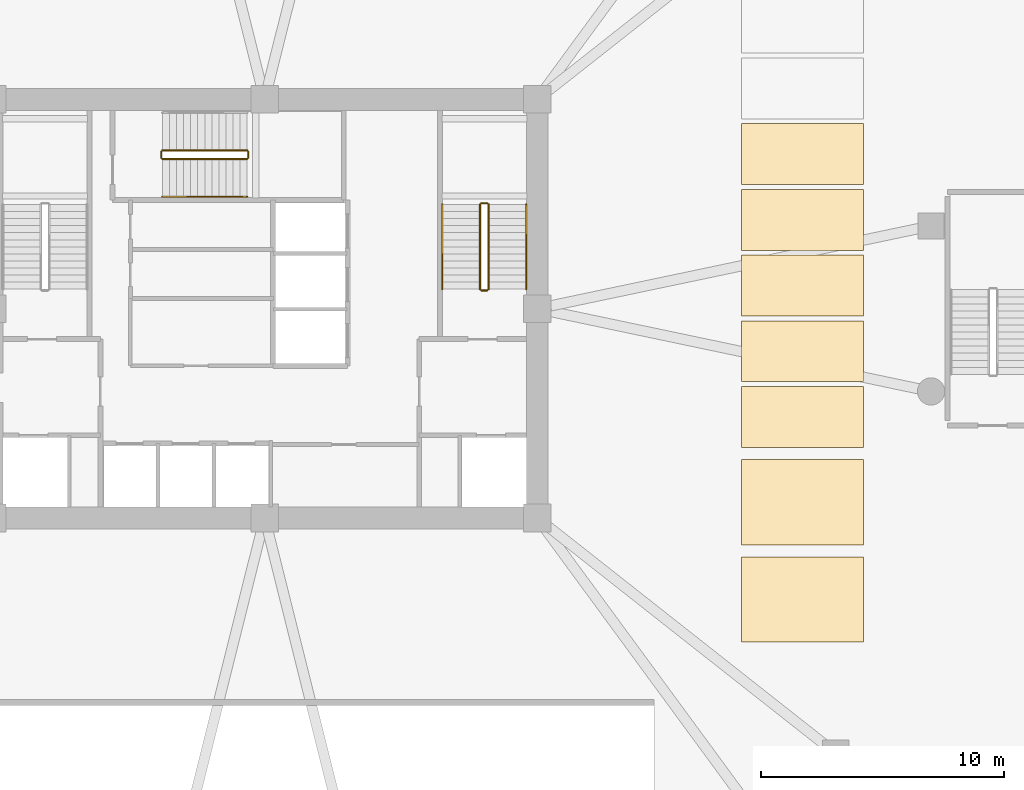
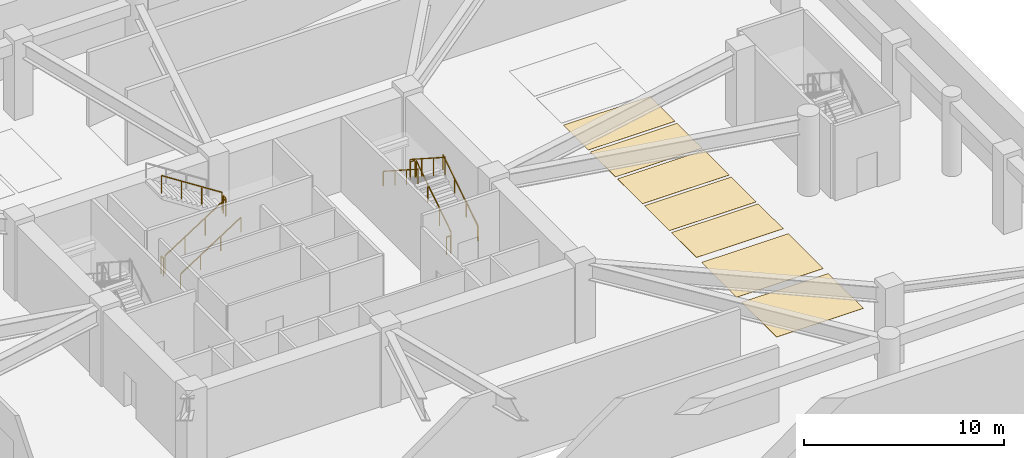
# One storey, part 6 of 8: 11 railings, 7 coverings.
"""IFC4 building model written with IfcOpenShell, lengths in metres."""

from ifc_helpers import new_model, si_unit, derived_unit, direction, frame, origin, origin_2d, place, context, subcontext, project, spatial, polyline, rectangle, outline, extrude, material, layer, layer_set, type_object, element, save


model = new_model("IFC4")

# Units and contexts
model_context = context("Model", 3, precision=1e-05, world=origin(), true_north=direction((0.0, 1.0)))
body_context = subcontext(model_context, "Body", "Model", "MODEL_VIEW")
ifc_project = project(units=[si_unit("LENGTHUNIT", "METRE"), si_unit("AREAUNIT", "SQUARE_METRE"), si_unit("VOLUMEUNIT", "CUBIC_METRE"), si_unit("PLANEANGLEUNIT", "RADIAN"), si_unit("MASSUNIT", "GRAM", prefix="KILO"), derived_unit("THERMALTRANSMITTANCEUNIT", [(si_unit("POWERUNIT", "WATT"), 1), (si_unit("LENGTHUNIT", "METRE"), -2), (si_unit("THERMODYNAMICTEMPERATUREUNIT", "KELVIN"), -1)])], contexts=[model_context])

# Site, building, storey
site_placement = place(None, origin())
site = spatial("IfcSite", under=ifc_project, at=site_placement, CompositionType="ELEMENT")
building_placement = place(site_placement, origin())
building = spatial("IfcBuilding", under=site, at=building_placement, Name="Koralith Skygarden Medical Center", CompositionType="ELEMENT")
storey_placement = place(building_placement, frame((0.0, 0.0, -4.860107421875)))
storey = spatial("IfcBuildingStorey", under=building, at=storey_placement, Name="B1", CompositionType="ELEMENT", Elevation=-4.860107421875)

# Coverings
ifc_material_1 = material(Name="Medical Terrazzo Flooring")
ifc_layer_1 = layer(ifc_material_1, 0.008056640625)
ifc_layer_set_1 = layer_set([ifc_layer_1], Name="Medical Terrazzo Flooring")
covering_type_1 = type_object("IfcCoveringType", Name="Accessible Van Parking Bay Marking 3500x5000", PredefinedType="FLOORING", material=ifc_layer_set_1)
covering_1_placement = place(storey_placement, origin())
element("IfcCovering", 1, at=covering_1_placement, inside=storey, type_object=covering_type_1, Name="B1 Accessible Parking Bay A-01", PredefinedType="FLOORING", context=body_context, shape_type="SweptSolid", body=[
    extrude(outline(polyline([(56.60009765625, 12.199951171875), (61.60009765625, 12.199951171875), (61.60009765625, 15.699951171875), (56.60009765625, 15.699951171875), (56.60009765625, 12.199951171875)])), origin(), (0.0, 0.0, 1.0), 0.008056640625),
])
covering_2_placement = place(storey_placement, origin())
element("IfcCovering", 2, at=covering_2_placement, inside=storey, type_object=covering_type_1, Name="B1 Accessible Parking Bay A-02", PredefinedType="FLOORING", context=body_context, shape_type="SweptSolid", body=[
    extrude(outline(polyline([(56.60009765625, 16.199951171875), (61.60009765625, 16.199951171875), (61.60009765625, 19.699951171875), (56.60009765625, 19.699951171875), (56.60009765625, 16.199951171875)])), origin(), (0.0, 0.0, 1.0), 0.008056640625),
])

# Railings
ifc_material_2 = material(Name="Steel ASTM A500 Grade C", Category="steel")
railing_type_1 = type_object("IfcRailingType", Name="Stair Flight Tubular Handrail 920", PredefinedType="HANDRAIL", material=ifc_material_2)
railing_1_placement = place(storey_placement, frame((47.75, 26.699951171875, 0.18701171875)))
element("IfcRailing", 3, at=railing_1_placement, inside=storey, type_object=railing_type_1, Name="B1 ST2 stair handrail 1", PredefinedType="HANDRAIL", context=body_context, shape_type="SweptSolid", body=[
    extrude(rectangle(XDim=0.050048828125, YDim=0.050048828125, at=origin_2d()), frame((0.0, 0.001708984375, 0.89599609375), z_axis=(0.0, 0.840514944087, 0.541788361602), x_axis=(-1.0, 0.0, 0.0)), (0.0, 0.0, 1.0), 4.13623046875),
    extrude(rectangle(XDim=0.0419921875, YDim=0.0419921875, at=origin_2d()), origin(), (0.0, 0.0, 1.0), 0.867919921875),
    extrude(rectangle(XDim=0.0419921875, YDim=0.0419921875, at=origin_2d()), frame((0.0, 1.159912109375, 0.747802734375)), (0.0, 0.0, 1.0), 0.867919921875),
    extrude(rectangle(XDim=0.0419921875, YDim=0.0419921875, at=origin_2d()), frame((0.0, 2.320068359375, 1.495361328125)), (0.0, 0.0, 1.0), 0.867919921875),
    extrude(rectangle(XDim=0.0419921875, YDim=0.0419921875, at=origin_2d()), frame((0.0, 3.47998046875, 2.2431640625)), (0.0, 0.0, 1.0), 0.867919921875),
])
railing_2_placement = place(storey_placement, frame((44.300048828125, 30.179931640625, 2.616943359375)))
element("IfcRailing", 4, at=railing_2_placement, inside=storey, type_object=railing_type_1, Name="B1 ST2 stair handrail 2", PredefinedType="HANDRAIL", context=body_context, shape_type="SweptSolid", body=[
    extrude(rectangle(XDim=0.050048828125, YDim=0.050048828125, at=origin_2d()), frame((0.0, -0.001708984375, 0.89599609375), z_axis=(0.0, -0.840514944087, 0.541788361602), x_axis=(1.0, 0.0, 0.0)), (0.0, 0.0, 1.0), 4.13623046875),
    extrude(rectangle(XDim=0.0419921875, YDim=0.0419921875, at=origin_2d()), origin(), (0.0, 0.0, 1.0), 0.867919921875),
    extrude(rectangle(XDim=0.0419921875, YDim=0.0419921875, at=origin_2d()), frame((0.0, -1.159912109375, 0.747802734375)), (0.0, 0.0, 1.0), 0.867919921875),
    extrude(rectangle(XDim=0.0419921875, YDim=0.0419921875, at=origin_2d()), frame((0.0, -2.320068359375, 1.495361328125)), (0.0, 0.0, 1.0), 0.867919921875),
    extrude(rectangle(XDim=0.0419921875, YDim=0.0419921875, at=origin_2d()), frame((0.0, -3.47998046875, 2.2431640625)), (0.0, 0.0, 1.0), 0.867919921875),
])
railing_3_placement = place(storey_placement, frame((32.800048828125, 30.5, 0.18701171875)))
element("IfcRailing", 5, at=railing_3_placement, inside=storey, type_object=railing_type_1, Name="B1 ST3 stair handrail 1", PredefinedType="HANDRAIL", context=body_context, shape_type="SweptSolid", body=[
    extrude(rectangle(XDim=0.050048828125, YDim=0.050048828125, at=origin_2d()), frame((0.001708984375, 0.0, 0.89599609375), z_axis=(0.840514944087, 0.0, 0.541788361602), x_axis=(0.0, 1.0, 0.0)), (0.0, 0.0, 1.0), 4.13623046875),
    extrude(rectangle(XDim=0.0419921875, YDim=0.0419921875, at=origin_2d()), origin(), (0.0, 0.0, 1.0), 0.867919921875),
    extrude(rectangle(XDim=0.0419921875, YDim=0.0419921875, at=origin_2d()), frame((1.159912109375, 0.0, 0.747802734375)), (0.0, 0.0, 1.0), 0.867919921875),
    extrude(rectangle(XDim=0.0419921875, YDim=0.0419921875, at=origin_2d()), frame((2.320068359375, 0.0, 1.495361328125)), (0.0, 0.0, 1.0), 0.867919921875),
    extrude(rectangle(XDim=0.0419921875, YDim=0.0419921875, at=origin_2d()), frame((3.47998046875, 0.0, 2.2431640625)), (0.0, 0.0, 1.0), 0.867919921875),
])
railing_type_2 = type_object("IfcRailingType", Name="Stair Well Safety Guardrail 1100", PredefinedType="GUARDRAIL", material=ifc_material_2)
railing_4_placement = place(storey_placement, frame((46.199951171875, 26.699951171875, 0.18701171875)))
element("IfcRailing", 6, at=railing_4_placement, inside=storey, type_object=railing_type_2, Name="B1 ST2 stair guard 1", PredefinedType="GUARDRAIL", context=body_context, shape_type="SweptSolid", body=[
    extrude(rectangle(XDim=0.050048828125, YDim=0.050048828125, at=origin_2d()), frame((0.0, 0.001708984375, 1.076171875), z_axis=(0.0, 0.840514944087, 0.541788361602), x_axis=(-1.0, 0.0, 0.0)), (0.0, 0.0, 1.0), 4.13623046875),
    extrude(rectangle(XDim=0.0419921875, YDim=0.0419921875, at=origin_2d()), origin(), (0.0, 0.0, 1.0), 1.048095703125),
    extrude(rectangle(XDim=0.0419921875, YDim=0.0419921875, at=origin_2d()), frame((0.0, 1.159912109375, 0.747802734375)), (0.0, 0.0, 1.0), 1.048095703125),
    extrude(rectangle(XDim=0.0419921875, YDim=0.0419921875, at=origin_2d()), frame((0.0, 2.320068359375, 1.495361328125)), (0.0, 0.0, 1.0), 1.048095703125),
    extrude(rectangle(XDim=0.0419921875, YDim=0.0419921875, at=origin_2d()), frame((0.0, 3.47998046875, 2.2431640625)), (0.0, 0.0, 1.0), 1.048095703125),
])
railing_5_placement = place(storey_placement, frame((46.14990234375, 30.22998046875, 2.43017578125)))
element("IfcRailing", 7, at=railing_5_placement, inside=storey, type_object=railing_type_2, Name="B1 ST2 stair guard 2", PredefinedType="GUARDRAIL", context=body_context, shape_type="SweptSolid", body=[
    extrude(rectangle(XDim=0.050048828125, YDim=0.050048828125, at=origin_2d()), frame((-0.001953125, 0.0, 1.0751953125), z_axis=(-1.0, 0.0, 0.0), x_axis=(0.0, -1.0, 0.0)), (0.0, 0.0, 1.0), 0.24609375),
    extrude(rectangle(XDim=0.0419921875, YDim=0.0419921875, at=origin_2d()), origin(), (0.0, 0.0, 1.0), 1.048095703125),
    extrude(rectangle(XDim=0.0419921875, YDim=0.0419921875, at=origin_2d()), frame((-0.25, 0.0, 0.0)), (0.0, 0.0, 1.0), 1.048095703125),
])
railing_6_placement = place(storey_placement, frame((45.85009765625, 30.179931640625, 2.616943359375)))
element("IfcRailing", 8, at=railing_6_placement, inside=storey, type_object=railing_type_2, Name="B1 ST2 stair guard 3", PredefinedType="GUARDRAIL", context=body_context, shape_type="SweptSolid", body=[
    extrude(rectangle(XDim=0.050048828125, YDim=0.050048828125, at=origin_2d()), frame((0.0, -0.001708984375, 1.076171875), z_axis=(0.0, -0.840514944087, 0.541788361602), x_axis=(1.0, 0.0, 0.0)), (0.0, 0.0, 1.0), 4.13623046875),
    extrude(rectangle(XDim=0.0419921875, YDim=0.0419921875, at=origin_2d()), origin(), (0.0, 0.0, 1.0), 1.048095703125),
    extrude(rectangle(XDim=0.0419921875, YDim=0.0419921875, at=origin_2d()), frame((0.0, -1.159912109375, 0.747802734375)), (0.0, 0.0, 1.0), 1.048095703125),
    extrude(rectangle(XDim=0.0419921875, YDim=0.0419921875, at=origin_2d()), frame((0.0, -2.320068359375, 1.495361328125)), (0.0, 0.0, 1.0), 1.048095703125),
    extrude(rectangle(XDim=0.0419921875, YDim=0.0419921875, at=origin_2d()), frame((0.0, -3.47998046875, 2.2431640625)), (0.0, 0.0, 1.0), 1.048095703125),
])
railing_7_placement = place(storey_placement, frame((46.14990234375, 26.64990234375, 0.0)))
element("IfcRailing", 9, at=railing_7_placement, inside=storey, type_object=railing_type_2, Name="B1 ST2 stair guard 4", PredefinedType="GUARDRAIL", context=body_context, shape_type="SweptSolid", body=[
    extrude(rectangle(XDim=0.050048828125, YDim=0.050048828125, at=origin_2d()), frame((-0.001953125, 0.0, 1.0751953125), z_axis=(-1.0, 0.0, 0.0), x_axis=(0.0, -1.0, 0.0)), (0.0, 0.0, 1.0), 0.24609375),
    extrude(rectangle(XDim=0.0419921875, YDim=0.0419921875, at=origin_2d()), origin(), (0.0, 0.0, 1.0), 1.048095703125),
    extrude(rectangle(XDim=0.0419921875, YDim=0.0419921875, at=origin_2d()), frame((-0.25, 0.0, 0.0)), (0.0, 0.0, 1.0), 1.048095703125),
])
railing_8_placement = place(storey_placement, frame((32.800048828125, 32.050048828125, 0.18701171875)))
element("IfcRailing", 10, at=railing_8_placement, inside=storey, type_object=railing_type_2, Name="B1 ST3 stair guard 1", PredefinedType="GUARDRAIL", context=body_context, shape_type="SweptSolid", body=[
    extrude(rectangle(XDim=0.050048828125, YDim=0.050048828125, at=origin_2d()), frame((0.001708984375, 0.0, 1.076171875), z_axis=(0.840514944087, 0.0, 0.541788361602), x_axis=(0.0, 1.0, 0.0)), (0.0, 0.0, 1.0), 4.13623046875),
    extrude(rectangle(XDim=0.0419921875, YDim=0.0419921875, at=origin_2d()), origin(), (0.0, 0.0, 1.0), 1.048095703125),
    extrude(rectangle(XDim=0.0419921875, YDim=0.0419921875, at=origin_2d()), frame((1.159912109375, 0.0, 0.747802734375)), (0.0, 0.0, 1.0), 1.048095703125),
    extrude(rectangle(XDim=0.0419921875, YDim=0.0419921875, at=origin_2d()), frame((2.320068359375, 0.0, 1.495361328125)), (0.0, 0.0, 1.0), 1.048095703125),
    extrude(rectangle(XDim=0.0419921875, YDim=0.0419921875, at=origin_2d()), frame((3.47998046875, 0.0, 2.2431640625)), (0.0, 0.0, 1.0), 1.048095703125),
])
railing_9_placement = place(storey_placement, frame((36.330078125, 32.10009765625, 2.43017578125)))
element("IfcRailing", 11, at=railing_9_placement, inside=storey, type_object=railing_type_2, Name="B1 ST3 stair guard 2", PredefinedType="GUARDRAIL", context=body_context, shape_type="SweptSolid", body=[
    extrude(rectangle(XDim=0.050048828125, YDim=0.050048828125, at=origin_2d()), frame((0.0, 0.001953125, 1.0751953125), z_axis=(0.0, 1.0, 0.0), x_axis=(-1.0, 0.0, 0.0)), (0.0, 0.0, 1.0), 0.24609375),
    extrude(rectangle(XDim=0.0419921875, YDim=0.0419921875, at=origin_2d()), origin(), (0.0, 0.0, 1.0), 1.048095703125),
    extrude(rectangle(XDim=0.0419921875, YDim=0.0419921875, at=origin_2d()), frame((0.0, 0.25, 0.0)), (0.0, 0.0, 1.0), 1.048095703125),
])
railing_10_placement = place(storey_placement, frame((36.280029296875, 32.39990234375, 2.616943359375)))
element("IfcRailing", 12, at=railing_10_placement, inside=storey, type_object=railing_type_2, Name="B1 ST3 stair guard 3", PredefinedType="GUARDRAIL", context=body_context, shape_type="SweptSolid", body=[
    extrude(rectangle(XDim=0.050048828125, YDim=0.050048828125, at=origin_2d()), frame((-0.001708984375, 0.0, 1.076171875), z_axis=(-0.840514944087, 0.0, 0.541788361602), x_axis=(0.0, -1.0, 0.0)), (0.0, 0.0, 1.0), 4.13623046875),
    extrude(rectangle(XDim=0.0419921875, YDim=0.0419921875, at=origin_2d()), origin(), (0.0, 0.0, 1.0), 1.048095703125),
    extrude(rectangle(XDim=0.0419921875, YDim=0.0419921875, at=origin_2d()), frame((-1.159912109375, 0.0, 0.747802734375)), (0.0, 0.0, 1.0), 1.048095703125),
    extrude(rectangle(XDim=0.0419921875, YDim=0.0419921875, at=origin_2d()), frame((-2.320068359375, 0.0, 1.495361328125)), (0.0, 0.0, 1.0), 1.048095703125),
    extrude(rectangle(XDim=0.0419921875, YDim=0.0419921875, at=origin_2d()), frame((-3.47998046875, 0.0, 2.2431640625)), (0.0, 0.0, 1.0), 1.048095703125),
])
railing_11_placement = place(storey_placement, frame((32.75, 32.10009765625, 0.0)))
element("IfcRailing", 13, at=railing_11_placement, inside=storey, type_object=railing_type_2, Name="B1 ST3 stair guard 4", PredefinedType="GUARDRAIL", context=body_context, shape_type="SweptSolid", body=[
    extrude(rectangle(XDim=0.050048828125, YDim=0.050048828125, at=origin_2d()), frame((0.0, 0.001953125, 1.0751953125), z_axis=(0.0, 1.0, 0.0), x_axis=(-1.0, 0.0, 0.0)), (0.0, 0.0, 1.0), 0.24609375),
    extrude(rectangle(XDim=0.0419921875, YDim=0.0419921875, at=origin_2d()), origin(), (0.0, 0.0, 1.0), 1.048095703125),
    extrude(rectangle(XDim=0.0419921875, YDim=0.0419921875, at=origin_2d()), frame((0.0, 0.25, 0.0)), (0.0, 0.0, 1.0), 1.048095703125),
])

# Coverings
ifc_layer_2 = layer(ifc_material_1, 0.008056640625)
ifc_layer_set_2 = layer_set([ifc_layer_2], Name="Medical Terrazzo Flooring")
covering_type_2 = type_object("IfcCoveringType", Name="Standard Car Park Bay Marking 2500x5000", PredefinedType="FLOORING", material=ifc_layer_set_2)
covering_3_placement = place(storey_placement, origin())
element("IfcCovering", 14, at=covering_3_placement, inside=storey, type_object=covering_type_2, Name="B1 Standard Parking Bay P-01", PredefinedType="FLOORING", context=body_context, shape_type="SweptSolid", body=[
    extrude(outline(polyline([(56.60009765625, 20.199951171875), (61.60009765625, 20.199951171875), (61.60009765625, 22.699951171875), (56.60009765625, 22.699951171875), (56.60009765625, 20.199951171875)])), origin(), (0.0, 0.0, 1.0), 0.008056640625),
])
covering_4_placement = place(storey_placement, origin())
element("IfcCovering", 15, at=covering_4_placement, inside=storey, type_object=covering_type_2, Name="B1 Standard Parking Bay P-02", PredefinedType="FLOORING", context=body_context, shape_type="SweptSolid", body=[
    extrude(outline(polyline([(56.60009765625, 22.89990234375), (61.60009765625, 22.89990234375), (61.60009765625, 25.39990234375), (56.60009765625, 25.39990234375), (56.60009765625, 22.89990234375)])), origin(), (0.0, 0.0, 1.0), 0.008056640625),
])
covering_5_placement = place(storey_placement, origin())
element("IfcCovering", 16, at=covering_5_placement, inside=storey, type_object=covering_type_2, Name="B1 Standard Parking Bay P-03", PredefinedType="FLOORING", context=body_context, shape_type="SweptSolid", body=[
    extrude(outline(polyline([(56.60009765625, 25.60009765625), (61.60009765625, 25.60009765625), (61.60009765625, 28.10009765625), (56.60009765625, 28.10009765625), (56.60009765625, 25.60009765625)])), origin(), (0.0, 0.0, 1.0), 0.008056640625),
])
covering_6_placement = place(storey_placement, origin())
element("IfcCovering", 17, at=covering_6_placement, inside=storey, type_object=covering_type_2, Name="B1 Standard Parking Bay P-04", PredefinedType="FLOORING", context=body_context, shape_type="SweptSolid", body=[
    extrude(outline(polyline([(56.60009765625, 28.300048828125), (61.60009765625, 28.300048828125), (61.60009765625, 30.800048828125), (56.60009765625, 30.800048828125), (56.60009765625, 28.300048828125)])), origin(), (0.0, 0.0, 1.0), 0.008056640625),
])
covering_7_placement = place(storey_placement, origin())
element("IfcCovering", 18, at=covering_7_placement, inside=storey, type_object=covering_type_2, Name="B1 Standard Parking Bay P-05", PredefinedType="FLOORING", context=body_context, shape_type="SweptSolid", body=[
    extrude(outline(polyline([(56.60009765625, 31.0), (61.60009765625, 31.0), (61.60009765625, 33.5), (56.60009765625, 33.5), (56.60009765625, 31.0)])), origin(), (0.0, 0.0, 1.0), 0.008056640625),
])

save(model, "model.ifc")
